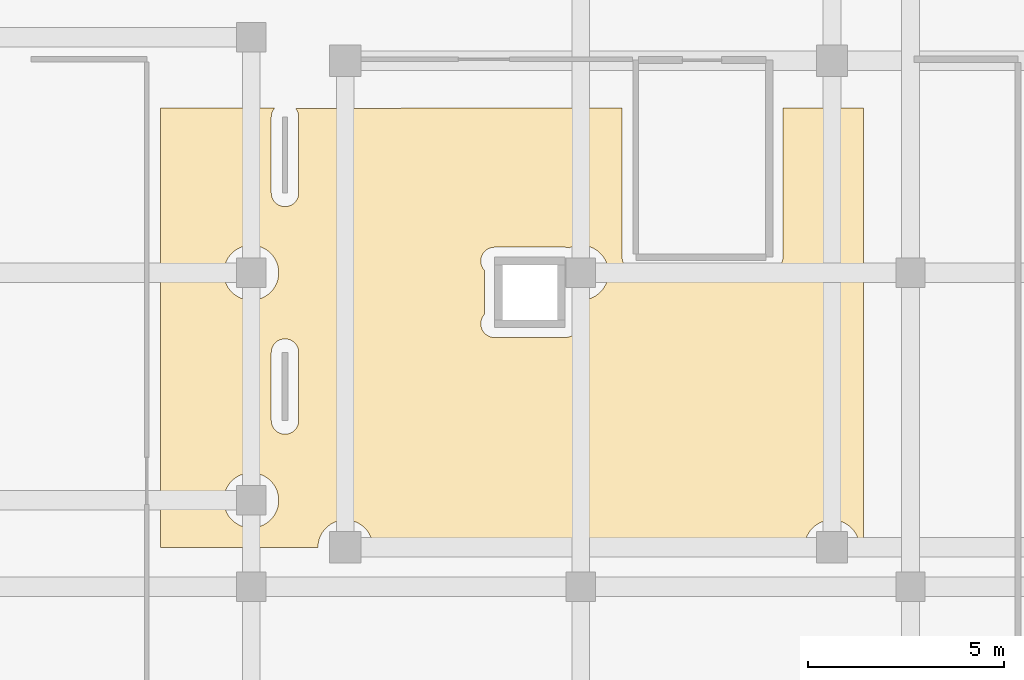
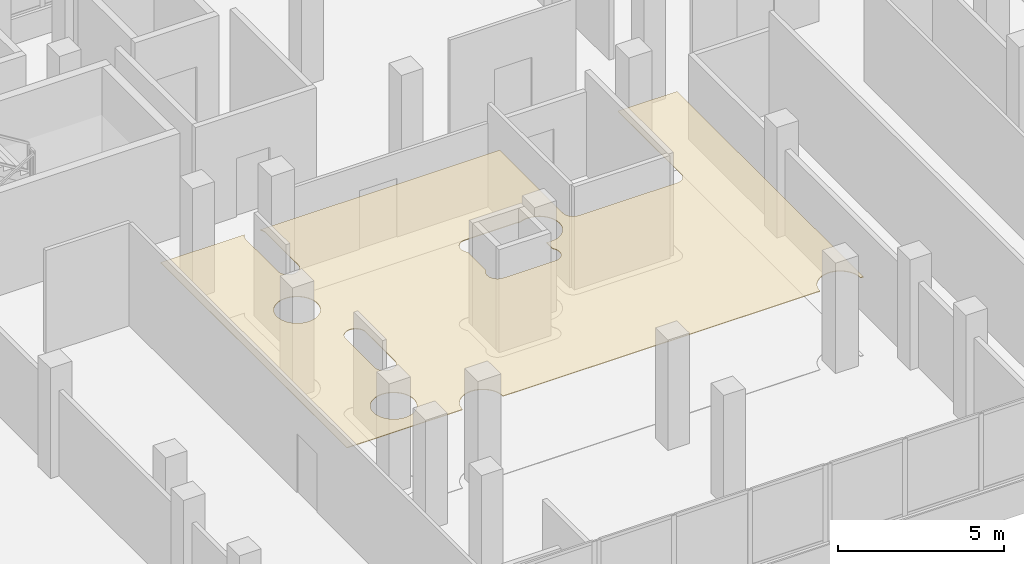
# One storey, part 95 of 101: 1 covering.
"""IFC4 building model written with IfcOpenShell, lengths in metres."""

from ifc_helpers import new_model, si_unit, direction, frame, origin, place, context, subcontext, project, spatial, polyline, outline, extrude, material, layer, layer_set, type_object, element, save


model = new_model("IFC4")

# Units and contexts
model_context = context("Model", 3, precision=1e-05, world=origin(), true_north=direction((0.0, 1.0)))
body_context = subcontext(model_context, "Body", "Model", "MODEL_VIEW")
ifc_project = project(units=[si_unit("LENGTHUNIT", "METRE"), si_unit("AREAUNIT", "SQUARE_METRE"), si_unit("VOLUMEUNIT", "CUBIC_METRE"), si_unit("PLANEANGLEUNIT", "RADIAN"), si_unit("MASSUNIT", "GRAM", prefix="KILO")], contexts=[model_context])

# Site, building, storey
site_placement = place(None, origin())
site = spatial("IfcSite", under=ifc_project, at=site_placement, CompositionType="ELEMENT")
building_placement = place(site_placement, origin())
building = spatial("IfcBuilding", under=site, at=building_placement, Name="Selatvlak General Hospital", CompositionType="ELEMENT")
storey_placement = place(building_placement, frame((0.0, 0.0, 19.199951171875)))
storey = spatial("IfcBuildingStorey", under=building, at=storey_placement, Name="L04", CompositionType="ELEMENT", Elevation=19.199951171875)

# Covering
ifc_material = material(Name="Acoustic mineral fibre ceiling tile")
ifc_layer = layer(ifc_material, 0.02490234375, Name="Acoustic mineral fibre ceiling tile")
ifc_layer_set = layer_set([ifc_layer], Name="Acoustic mineral fibre ceiling tile")
covering_type = type_object("IfcCoveringType", Name="COV-CEIL1", PredefinedType="CEILING", material=ifc_layer_set)
covering_placement = place(storey_placement, frame((0.0, 0.0, 2.8701171875)))
element("IfcCovering", 1, at=covering_placement, inside=storey, type_object=covering_type, Name="L04 clinical acoustic ceiling 009", PredefinedType="CEILING", context=body_context, shape_type="SweptSolid", body=[
    extrude(outline(polyline([(57.0009765625, 104.199951171875), (56.968994140625, 104.158935546875), (56.950927734375, 104.1298828125), (56.93701171875, 104.09912109375), (56.925048828125, 104.06689453125), (56.9169921875, 104.032958984375), (56.912109375, 103.9990234375), (56.909912109375, 103.965087890625), (56.909912109375, 102.034912109375), (56.912109375, 102.0009765625), (56.9169921875, 101.967041015625), (56.925048828125, 101.93310546875), (56.93701171875, 101.90087890625), (56.950927734375, 101.8701171875), (56.968994140625, 101.841064453125), (56.989013671875, 101.81298828125), (57.012939453125, 101.7880859375), (57.0380859375, 101.763916015625), (57.06591796875, 101.743896484375), (57.094970703125, 101.72607421875), (57.1259765625, 101.7119140625), (57.157958984375, 101.699951171875), (57.19189453125, 101.69189453125), (57.22607421875, 101.68701171875), (57.260009765625, 101.68505859375), (57.2939453125, 101.68701171875), (57.327880859375, 101.69189453125), (57.362060546875, 101.699951171875), (57.39404296875, 101.7119140625), (57.425048828125, 101.72607421875), (57.4541015625, 101.743896484375), (57.48193359375, 101.763916015625), (57.507080078125, 101.7880859375), (57.531005859375, 101.81298828125), (57.551025390625, 101.841064453125), (57.569091796875, 101.8701171875), (57.5830078125, 101.90087890625), (57.594970703125, 101.93310546875), (57.60302734375, 101.967041015625), (57.60791015625, 102.0009765625), (57.610107421875, 102.034912109375), (57.610107421875, 103.965087890625), (57.60791015625, 103.9990234375), (57.60302734375, 104.032958984375), (57.594970703125, 104.06689453125), (57.5830078125, 104.09912109375), (57.569091796875, 104.1298828125), (57.551025390625, 104.158935546875), (57.531005859375, 104.18701171875), (65.85009765625, 104.199951171875), (65.85009765625, 100.47900390625), (65.85205078125, 100.445068359375), (65.85009765625, 100.39990234375), (65.85205078125, 100.365966796875), (65.85693359375, 100.33203125), (65.864990234375, 100.298095703125), (65.876953125, 100.26611328125), (65.89111328125, 100.235107421875), (65.908935546875, 100.2060546875), (65.928955078125, 100.177978515625), (65.952880859375, 100.153076171875), (65.97802734375, 100.12890625), (66.006103515625, 100.10888671875), (66.034912109375, 100.091064453125), (66.06591796875, 100.076904296875), (66.097900390625, 100.06494140625), (66.132080078125, 100.056884765625), (66.166015625, 100.052001953125), (66.199951171875, 100.050048828125), (69.513916015625, 100.050048828125), (69.548095703125, 100.052001953125), (69.60009765625, 100.050048828125), (69.634033203125, 100.052001953125), (69.66796875, 100.056884765625), (69.701904296875, 100.06494140625), (69.73388671875, 100.076904296875), (69.764892578125, 100.091064453125), (69.7939453125, 100.10888671875), (69.822021484375, 100.12890625), (69.846923828125, 100.153076171875), (69.87109375, 100.177978515625), (69.89111328125, 100.2060546875), (69.908935546875, 100.235107421875), (69.923095703125, 100.26611328125), (69.93505859375, 100.298095703125), (69.943115234375, 100.33203125), (69.947998046875, 100.365966796875), (69.949951171875, 100.39990234375), (69.949951171875, 104.199951171875), (72.0, 104.199951171875), (72.0, 93.0), (71.89990234375, 93.0), (71.89697265625, 93.069091796875), (71.886962890625, 93.136962890625), (71.8701171875, 93.202880859375), (71.846923828125, 93.26806640625), (71.81689453125, 93.330078125), (71.781982421875, 93.388916015625), (71.740966796875, 93.444091796875), (71.695068359375, 93.4951171875), (71.64404296875, 93.541015625), (71.589111328125, 93.58203125), (71.530029296875, 93.616943359375), (71.468017578125, 93.64697265625), (71.403076171875, 93.669921875), (71.3369140625, 93.68701171875), (71.26904296875, 93.697021484375), (71.199951171875, 93.699951171875), (71.131103515625, 93.697021484375), (71.06298828125, 93.68701171875), (70.9970703125, 93.669921875), (70.931884765625, 93.64697265625), (70.8701171875, 93.616943359375), (70.81103515625, 93.58203125), (70.756103515625, 93.541015625), (70.705078125, 93.4951171875), (70.658935546875, 93.444091796875), (70.617919921875, 93.388916015625), (70.5830078125, 93.330078125), (70.552978515625, 93.26806640625), (70.530029296875, 93.202880859375), (70.512939453125, 93.136962890625), (70.5029296875, 93.069091796875), (70.5, 93.0), (59.5, 93.0), (59.4970703125, 93.069091796875), (59.487060546875, 93.136962890625), (59.469970703125, 93.202880859375), (59.447021484375, 93.26806640625), (59.4169921875, 93.330078125), (59.382080078125, 93.388916015625), (59.341064453125, 93.444091796875), (59.294921875, 93.4951171875), (59.243896484375, 93.541015625), (59.18896484375, 93.58203125), (59.1298828125, 93.616943359375), (59.068115234375, 93.64697265625), (59.0029296875, 93.669921875), (58.93701171875, 93.68701171875), (58.868896484375, 93.697021484375), (58.800048828125, 93.699951171875), (58.73095703125, 93.697021484375), (58.6630859375, 93.68701171875), (58.596923828125, 93.669921875), (58.531982421875, 93.64697265625), (58.469970703125, 93.616943359375), (58.410888671875, 93.58203125), (58.35595703125, 93.541015625), (58.304931640625, 93.4951171875), (58.259033203125, 93.444091796875), (58.218017578125, 93.388916015625), (58.18310546875, 93.330078125), (58.153076171875, 93.26806640625), (58.1298828125, 93.202880859375), (58.113037109375, 93.136962890625), (58.10302734375, 93.069091796875), (58.10009765625, 93.0), (54.090087890625, 93.0), (54.090087890625, 104.199951171875), (57.0009765625, 104.199951171875)]), holes=[polyline([(56.89501953125, 99.5048828125), (56.94091796875, 99.555908203125), (56.98193359375, 99.611083984375), (57.01708984375, 99.669921875), (57.047119140625, 99.73193359375), (57.070068359375, 99.797119140625), (57.0869140625, 99.863037109375), (57.096923828125, 99.930908203125), (57.10009765625, 100.0), (57.096923828125, 100.069091796875), (57.0869140625, 100.136962890625), (57.070068359375, 100.202880859375), (57.047119140625, 100.26806640625), (57.01708984375, 100.330078125), (56.98193359375, 100.388916015625), (56.94091796875, 100.444091796875), (56.89501953125, 100.4951171875), (56.843994140625, 100.541015625), (56.7890625, 100.58203125), (56.72998046875, 100.616943359375), (56.66796875, 100.64697265625), (56.60302734375, 100.669921875), (56.537109375, 100.68701171875), (56.468994140625, 100.697021484375), (56.39990234375, 100.699951171875), (56.3310546875, 100.697021484375), (56.262939453125, 100.68701171875), (56.197021484375, 100.669921875), (56.132080078125, 100.64697265625), (56.070068359375, 100.616943359375), (56.010986328125, 100.58203125), (55.9560546875, 100.541015625), (55.905029296875, 100.4951171875), (55.85888671875, 100.444091796875), (55.818115234375, 100.388916015625), (55.782958984375, 100.330078125), (55.7529296875, 100.26806640625), (55.72998046875, 100.202880859375), (55.712890625, 100.136962890625), (55.702880859375, 100.069091796875), (55.699951171875, 100.0), (55.702880859375, 99.930908203125), (55.712890625, 99.863037109375), (55.72998046875, 99.797119140625), (55.7529296875, 99.73193359375), (55.782958984375, 99.669921875), (55.818115234375, 99.611083984375), (55.85888671875, 99.555908203125), (55.905029296875, 99.5048828125), (55.9560546875, 99.458984375), (56.010986328125, 99.41796875), (56.070068359375, 99.383056640625), (56.132080078125, 99.35302734375), (56.197021484375, 99.330078125), (56.262939453125, 99.31298828125), (56.3310546875, 99.302978515625), (56.39990234375, 99.300048828125), (56.468994140625, 99.302978515625), (56.537109375, 99.31298828125), (56.60302734375, 99.330078125), (56.66796875, 99.35302734375), (56.72998046875, 99.383056640625), (56.7890625, 99.41796875), (56.843994140625, 99.458984375), (56.89501953125, 99.5048828125)]), polyline([(56.89501953125, 93.705078125), (56.94091796875, 93.756103515625), (56.98193359375, 93.81103515625), (57.01708984375, 93.8701171875), (57.047119140625, 93.931884765625), (57.070068359375, 93.9970703125), (57.0869140625, 94.06298828125), (57.096923828125, 94.131103515625), (57.10009765625, 94.199951171875), (57.096923828125, 94.26904296875), (57.0869140625, 94.3369140625), (57.070068359375, 94.403076171875), (57.047119140625, 94.468017578125), (57.01708984375, 94.530029296875), (56.98193359375, 94.589111328125), (56.94091796875, 94.64404296875), (56.89501953125, 94.695068359375), (56.843994140625, 94.740966796875), (56.7890625, 94.781982421875), (56.72998046875, 94.81689453125), (56.66796875, 94.846923828125), (56.60302734375, 94.8701171875), (56.537109375, 94.886962890625), (56.468994140625, 94.89697265625), (56.39990234375, 94.89990234375), (56.3310546875, 94.89697265625), (56.262939453125, 94.886962890625), (56.197021484375, 94.8701171875), (56.132080078125, 94.846923828125), (56.070068359375, 94.81689453125), (56.010986328125, 94.781982421875), (55.9560546875, 94.740966796875), (55.905029296875, 94.695068359375), (55.85888671875, 94.64404296875), (55.818115234375, 94.589111328125), (55.782958984375, 94.530029296875), (55.7529296875, 94.468017578125), (55.72998046875, 94.403076171875), (55.712890625, 94.3369140625), (55.702880859375, 94.26904296875), (55.699951171875, 94.199951171875), (55.702880859375, 94.131103515625), (55.712890625, 94.06298828125), (55.72998046875, 93.9970703125), (55.7529296875, 93.931884765625), (55.782958984375, 93.8701171875), (55.818115234375, 93.81103515625), (55.85888671875, 93.756103515625), (55.905029296875, 93.705078125), (55.9560546875, 93.658935546875), (56.010986328125, 93.617919921875), (56.070068359375, 93.5830078125), (56.132080078125, 93.552978515625), (56.197021484375, 93.530029296875), (56.262939453125, 93.512939453125), (56.3310546875, 93.5029296875), (56.39990234375, 93.5), (56.468994140625, 93.5029296875), (56.537109375, 93.512939453125), (56.60302734375, 93.530029296875), (56.66796875, 93.552978515625), (56.72998046875, 93.5830078125), (56.7890625, 93.617919921875), (56.843994140625, 93.658935546875), (56.89501953125, 93.705078125)]), polyline([(65.294921875, 99.5048828125), (65.341064453125, 99.555908203125), (65.382080078125, 99.611083984375), (65.4169921875, 99.669921875), (65.447021484375, 99.73193359375), (65.469970703125, 99.797119140625), (65.487060546875, 99.863037109375), (65.4970703125, 99.930908203125), (65.5, 100.0), (65.4970703125, 100.069091796875), (65.487060546875, 100.136962890625), (65.469970703125, 100.202880859375), (65.447021484375, 100.26806640625), (65.4169921875, 100.330078125), (65.382080078125, 100.388916015625), (65.341064453125, 100.444091796875), (65.294921875, 100.4951171875), (65.243896484375, 100.541015625), (65.18896484375, 100.58203125), (65.1298828125, 100.616943359375), (65.068115234375, 100.64697265625), (65.0029296875, 100.669921875), (64.93701171875, 100.68701171875), (64.868896484375, 100.697021484375), (64.800048828125, 100.699951171875), (64.73095703125, 100.697021484375), (64.6630859375, 100.68701171875), (64.596923828125, 100.669921875), (64.531982421875, 100.64697265625), (64.5048828125, 100.634033203125), (64.468017578125, 100.64306640625), (64.43408203125, 100.64794921875), (64.39990234375, 100.64990234375), (62.60009765625, 100.64990234375), (62.56591796875, 100.64794921875), (62.531982421875, 100.64306640625), (62.498046875, 100.635009765625), (62.466064453125, 100.623046875), (62.43505859375, 100.60888671875), (62.406005859375, 100.591064453125), (62.3779296875, 100.571044921875), (62.35302734375, 100.547119140625), (62.3291015625, 100.52197265625), (62.30908203125, 100.493896484375), (62.291015625, 100.465087890625), (62.277099609375, 100.43408203125), (62.264892578125, 100.402099609375), (62.257080078125, 100.367919921875), (62.251953125, 100.333984375), (62.25, 100.300048828125), (62.251953125, 100.26611328125), (62.257080078125, 100.23193359375), (62.264892578125, 100.197998046875), (62.277099609375, 100.166015625), (62.291015625, 100.135009765625), (62.30908203125, 100.10595703125), (62.3291015625, 100.077880859375), (62.35009765625, 100.054931640625), (62.35009765625, 98.945068359375), (62.3291015625, 98.922119140625), (62.30908203125, 98.89404296875), (62.291015625, 98.864990234375), (62.277099609375, 98.833984375), (62.264892578125, 98.802001953125), (62.257080078125, 98.76806640625), (62.251953125, 98.73388671875), (62.25, 98.699951171875), (62.251953125, 98.666015625), (62.257080078125, 98.632080078125), (62.264892578125, 98.597900390625), (62.277099609375, 98.56591796875), (62.291015625, 98.534912109375), (62.30908203125, 98.506103515625), (62.3291015625, 98.47802734375), (62.35302734375, 98.452880859375), (62.3779296875, 98.428955078125), (62.406005859375, 98.408935546875), (62.43505859375, 98.39111328125), (62.466064453125, 98.376953125), (62.498046875, 98.364990234375), (62.531982421875, 98.35693359375), (62.56591796875, 98.35205078125), (62.60009765625, 98.35009765625), (64.39990234375, 98.35009765625), (64.43408203125, 98.35205078125), (64.468017578125, 98.35693359375), (64.501953125, 98.364990234375), (64.533935546875, 98.376953125), (64.56494140625, 98.39111328125), (64.593994140625, 98.408935546875), (64.6220703125, 98.428955078125), (64.64697265625, 98.452880859375), (64.6708984375, 98.47802734375), (64.69091796875, 98.506103515625), (64.708984375, 98.534912109375), (64.722900390625, 98.56591796875), (64.735107421875, 98.597900390625), (64.742919921875, 98.632080078125), (64.748046875, 98.666015625), (64.75, 98.699951171875), (64.748046875, 98.73388671875), (64.742919921875, 98.76806640625), (64.735107421875, 98.802001953125), (64.722900390625, 98.833984375), (64.708984375, 98.864990234375), (64.69091796875, 98.89404296875), (64.6708984375, 98.922119140625), (64.64990234375, 98.945068359375), (64.64990234375, 99.31689453125), (64.73095703125, 99.302978515625), (64.800048828125, 99.300048828125), (64.868896484375, 99.302978515625), (64.93701171875, 99.31298828125), (65.0029296875, 99.330078125), (65.068115234375, 99.35302734375), (65.1298828125, 99.383056640625), (65.18896484375, 99.41796875), (65.243896484375, 99.458984375), (65.294921875, 99.5048828125)]), polyline([(57.012939453125, 98.2119140625), (56.989013671875, 98.18701171875), (56.968994140625, 98.158935546875), (56.950927734375, 98.1298828125), (56.93701171875, 98.09912109375), (56.925048828125, 98.06689453125), (56.9169921875, 98.032958984375), (56.912109375, 97.9990234375), (56.909912109375, 97.965087890625), (56.909912109375, 96.235107421875), (56.912109375, 96.200927734375), (56.9169921875, 96.1669921875), (56.925048828125, 96.133056640625), (56.93701171875, 96.10107421875), (56.950927734375, 96.070068359375), (56.968994140625, 96.041015625), (56.989013671875, 96.012939453125), (57.012939453125, 95.988037109375), (57.0380859375, 95.964111328125), (57.06591796875, 95.944091796875), (57.094970703125, 95.926025390625), (57.1259765625, 95.912109375), (57.157958984375, 95.89990234375), (57.19189453125, 95.89208984375), (57.22607421875, 95.886962890625), (57.260009765625, 95.885009765625), (57.2939453125, 95.886962890625), (57.327880859375, 95.89208984375), (57.362060546875, 95.89990234375), (57.39404296875, 95.912109375), (57.425048828125, 95.926025390625), (57.4541015625, 95.944091796875), (57.48193359375, 95.964111328125), (57.507080078125, 95.988037109375), (57.531005859375, 96.012939453125), (57.551025390625, 96.041015625), (57.569091796875, 96.070068359375), (57.5830078125, 96.10107421875), (57.594970703125, 96.133056640625), (57.60302734375, 96.1669921875), (57.60791015625, 96.200927734375), (57.610107421875, 96.235107421875), (57.610107421875, 97.965087890625), (57.60791015625, 97.9990234375), (57.60302734375, 98.032958984375), (57.594970703125, 98.06689453125), (57.5830078125, 98.09912109375), (57.569091796875, 98.1298828125), (57.551025390625, 98.158935546875), (57.531005859375, 98.18701171875), (57.507080078125, 98.2119140625), (57.48193359375, 98.236083984375), (57.4541015625, 98.256103515625), (57.425048828125, 98.27392578125), (57.39404296875, 98.2880859375), (57.362060546875, 98.300048828125), (57.327880859375, 98.30810546875), (57.2939453125, 98.31298828125), (57.260009765625, 98.31494140625), (57.22607421875, 98.31298828125), (57.19189453125, 98.30810546875), (57.157958984375, 98.300048828125), (57.1259765625, 98.2880859375), (57.094970703125, 98.27392578125), (57.06591796875, 98.256103515625), (57.0380859375, 98.236083984375), (57.012939453125, 98.2119140625)])]), origin(), (0.0, 0.0, 1.0), 0.02490234375),
])

save(model, "model.ifc")
